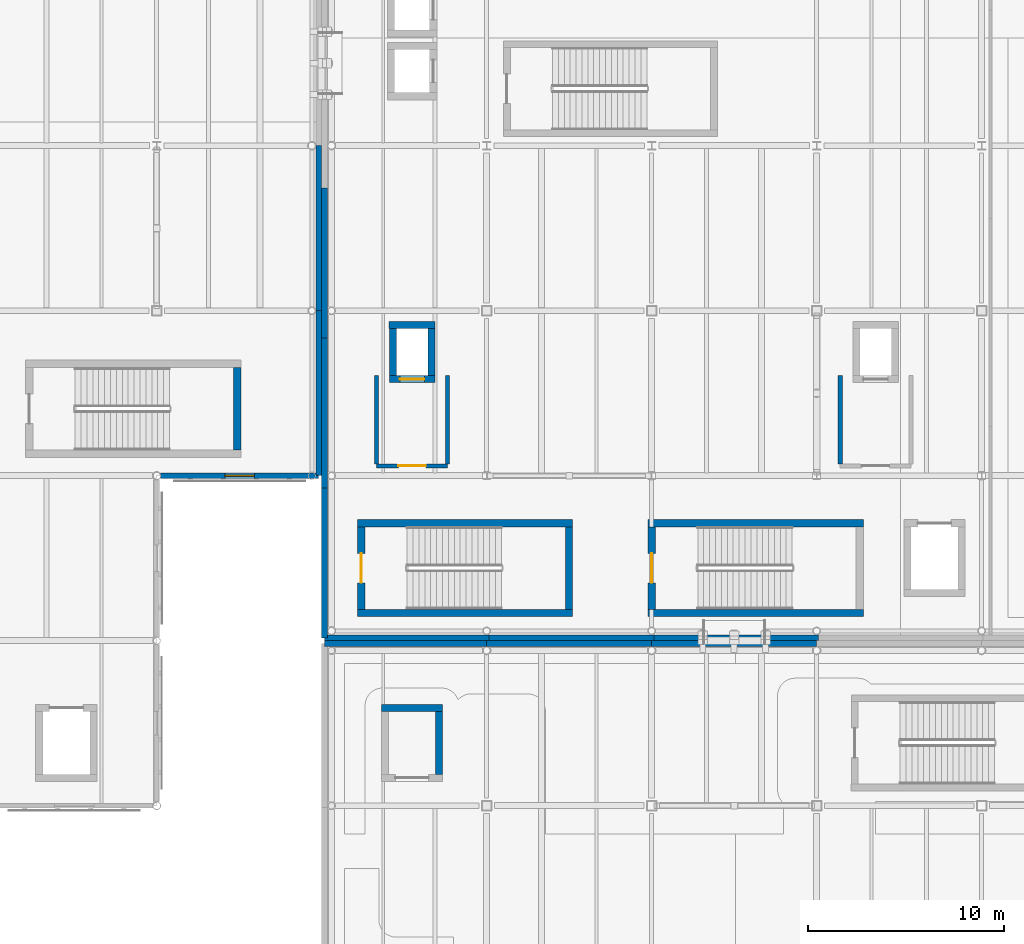
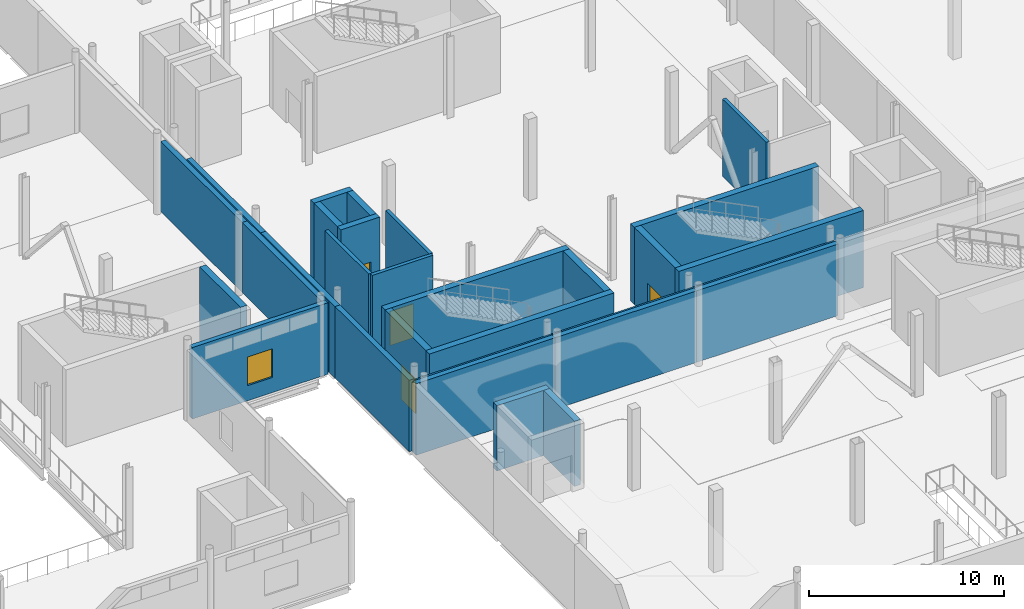
# One storey, part 69 of 104: 30 walls, 4 doors, 1 window, 5 openings.
"""IFC4 building model written with IfcOpenShell, lengths in metres."""

import ifcopenshell
import ifcopenshell.guid

model = None  # the IFC model being written
_history = None  # IfcOwnerHistory: only IFC2X3 demands one
_inside = {}  # id of a spatial element -> (the spatial element, [elements in it])
_under = {}  # id of a project, library or spatial element -> (it, [spatial elements below it])
_declared = {}  # id of a project -> (the project, [libraries it declares])
_typed = {}  # id of a type object -> (the type object, [elements of that type])
_made_of = {}  # id of a material, layer set ... -> (it, [elements and type objects made of it])


def new_model(schema):
    """Start an empty IFC model of exactly this schema.

    Asked for "IFC4X3", IfcOpenShell would pick the latest addendum, in which some entities
    have other attributes; the version numbers below select the first issue.
    IFC2X3 requires an IfcOwnerHistory on every rooted entity: one is made here for all.
    """
    global model, _history
    if schema == "IFC4X3":
        model = ifcopenshell.file(schema_version=(4, 3, 0, 0))
    else:
        model = ifcopenshell.file(schema=schema)
    _inside.clear()
    _under.clear()
    _declared.clear()
    _typed.clear()
    _made_of.clear()
    _history = None
    if model.schema == "IFC2X3":
        org = make("IfcOrganization", Name="unknown")
        user = make(
            "IfcPersonAndOrganization",
            ThePerson=make("IfcPerson", FamilyName="unknown"),
            TheOrganization=org,
        )
        app = make(
            "IfcApplication",
            ApplicationDeveloper=org,
            Version="unknown",
            ApplicationFullName="unknown",
            ApplicationIdentifier="unknown",
        )
        _history = make(
            "IfcOwnerHistory",
            OwningUser=user,
            OwningApplication=app,
            ChangeAction="ADDED",
            CreationDate=0,
        )
    return model


def make(cls, **values):
    """One entity of the class cls with the attributes given. An attribute that is None is left unset."""
    return model.create_entity(
        cls, **{name: value for name, value in values.items() if value is not None}
    )


def rooted(cls, **values):
    """An entity with a GlobalId (a new one), such as an element, a storey or a relation."""
    return make(cls, GlobalId=ifcopenshell.guid.new(), OwnerHistory=_history, **values)


def si_unit(unit_type, name, prefix=None):
    """IfcSIUnit, for example si_unit("LENGTHUNIT", "METRE", prefix="MILLI")."""
    return make("IfcSIUnit", UnitType=unit_type, Prefix=prefix, Name=name)


def assignment(units):
    """IfcUnitAssignment: the units of a project."""
    return None if units is None else make("IfcUnitAssignment", Units=units)


def point(xyz):
    """IfcCartesianPoint."""
    return None if xyz is None else make("IfcCartesianPoint", Coordinates=xyz)


def direction(xyz):
    """IfcDirection."""
    return None if xyz is None else make("IfcDirection", DirectionRatios=xyz)


def frame(location, z_axis=None, x_axis=None):
    """IfcAxis2Placement3D, a coordinate frame: its origin and axes. An axis left out is left unset."""
    return make(
        "IfcAxis2Placement3D",
        Location=point(location),
        Axis=direction(z_axis),
        RefDirection=direction(x_axis),
    )


def frame_2d(location, x_axis=None):
    """IfcAxis2Placement2D, a coordinate frame in the plane: its origin and x axis."""
    return make(
        "IfcAxis2Placement2D", Location=point(location), RefDirection=direction(x_axis)
    )


def origin():
    """The frame at (0, 0, 0) with its axes left unset."""
    return frame((0.0, 0.0, 0.0))


def place(relative_to, where):
    """IfcLocalPlacement: puts the frame where relative to a parent placement (None: the world)."""
    return make(
        "IfcLocalPlacement", PlacementRelTo=relative_to, RelativePlacement=where
    )


def context(
    kind, dimensions, precision=None, world=None, true_north=None, identifier=None
):
    """IfcGeometricRepresentationContext, for example the 3D "Model" context."""
    return make(
        "IfcGeometricRepresentationContext",
        ContextIdentifier=identifier,
        ContextType=kind,
        CoordinateSpaceDimension=dimensions,
        Precision=precision,
        WorldCoordinateSystem=world,
        TrueNorth=true_north,
    )


def subcontext(parent, identifier, kind, view, scale=None):
    """IfcGeometricRepresentationSubContext, for example "Body" below "Model"."""
    return make(
        "IfcGeometricRepresentationSubContext",
        ContextIdentifier=identifier,
        ContextType=kind,
        ParentContext=parent,
        TargetScale=scale,
        TargetView=view,
    )


def project(units=None, contexts=None):
    """IfcProject with its units and contexts."""
    return rooted(
        "IfcProject",
        Name="project",
        RepresentationContexts=contexts,
        UnitsInContext=assignment(units),
    )


def spatial(cls, under=None, at=None, **own):
    """A site, building, storey or space (cls), placed at a placement, below another one or the project."""
    s = rooted(cls, ObjectPlacement=at, **own)
    if under is not None:
        _under.setdefault(under.id(), (under, []))[1].append(s)
    return s


def profile(cls, at=None, kind="AREA", **sizes):
    """A parametric profile (cls). Its sizes go by their IFC names, for example OverallWidth=200.0."""
    return make(cls, ProfileType=kind, Position=at, **sizes)


def rectangle(**sizes):
    """IfcRectangleProfileDef."""
    return profile("IfcRectangleProfileDef", **sizes)


def extrude(swept, where, along, depth):
    """IfcExtrudedAreaSolid: the profile swept, set in the frame where, extruded along a direction by depth."""
    return make(
        "IfcExtrudedAreaSolid",
        SweptArea=swept,
        Position=where,
        ExtrudedDirection=direction(along),
        Depth=depth,
    )


def shape(context_of_items, identifier, shape_type, items):
    """IfcShapeRepresentation: the items that make up one representation, for example the "Body"."""
    return make(
        "IfcShapeRepresentation",
        ContextOfItems=context_of_items,
        RepresentationIdentifier=identifier,
        RepresentationType=shape_type,
        Items=items,
    )


def material(Name=None, Category=None):
    """IfcMaterial."""
    return make("IfcMaterial", Name=Name, Category=Category)


def layer(
    of_material, thickness, ventilated=None, Name=None, Category=None, Priority=None
):
    """IfcMaterialLayer: one layer of a wall or slab, of a material (None: an air gap)."""
    return make(
        "IfcMaterialLayer",
        Material=of_material,
        LayerThickness=thickness,
        IsVentilated=ventilated,
        Name=Name,
        Category=Category,
        Priority=Priority,
    )


def layer_set(layers, Name=None):
    """IfcMaterialLayerSet."""
    return make("IfcMaterialLayerSet", MaterialLayers=layers, LayerSetName=Name)


def made_of(thing, what):
    """Note that an element or type object is made of a material, layer set ...; save() writes the relation."""
    if what is not None:
        _made_of.setdefault(what.id(), (what, []))[1].append(thing)
    return thing


def type_object(cls, material=None, **own):
    """A type object (cls), such as IfcWallType, which elements share."""
    return made_of(rooted(cls, **own), material)


def element(
    cls,
    number,
    at=None,
    inside=None,
    cuts=None,
    type_object=None,
    material=None,
    context=None,
    identifier="Body",
    shape_type=None,
    held_by="IfcProductDefinitionShape",
    body=None,
    shapes=None,
    **own,
):
    """One element of the class cls, such as IfcWall. Its Tag is "e" and its number.

    at: its placement. inside: the storey or other place that contains it. cuts: it is an
    opening in that element (IfcRelVoidsElement). A single representation is given by context,
    identifier, shape_type and body (its items); several are given by shapes. held_by: the class
    of the entity that holds the representations. save() writes the other relations.
    """
    e = rooted(cls, Tag="e%d" % number, ObjectPlacement=at, **own)
    if body is not None:
        shapes = [shape(context, identifier, shape_type, body)]
    if shapes is not None:
        e.Representation = make(held_by, Representations=shapes)
    if inside is not None:
        _inside.setdefault(inside.id(), (inside, []))[1].append(e)
    if cuts is not None:
        rooted(
            "IfcRelVoidsElement", RelatingBuildingElement=cuts, RelatedOpeningElement=e
        )
    if type_object is not None:
        _typed.setdefault(type_object.id(), (type_object, []))[1].append(e)
    return made_of(e, material)


def fill(opening, filler):
    """IfcRelFillsElement: the door or window that sits in an opening."""
    return rooted(
        "IfcRelFillsElement",
        RelatingOpeningElement=opening,
        RelatedBuildingElement=filler,
    )


def aggregate(whole, parts):
    """IfcRelAggregates: a whole, such as a stair, and the parts it consists of."""
    return rooted("IfcRelAggregates", RelatingObject=whole, RelatedObjects=parts)


def save(model, path):
    """Write the relations noted so far, then the file.

    IfcRelAggregates (storeys below a building ...), IfcRelContainedInSpatialStructure (elements
    in a storey), IfcRelDefinesByType, IfcRelAssociatesMaterial and IfcRelDeclares: one each for
    every whole, place, type object, material and project.
    """
    for whole, parts in _under.values():
        aggregate(whole, parts)
    for where, things in _inside.values():
        rooted(
            "IfcRelContainedInSpatialStructure",
            RelatedElements=things,
            RelatingStructure=where,
        )
    for kind, things in _typed.values():
        rooted("IfcRelDefinesByType", RelatedObjects=things, RelatingType=kind)
    for what, things in _made_of.values():
        rooted("IfcRelAssociatesMaterial", RelatedObjects=things, RelatingMaterial=what)
    for by, libraries in _declared.values():
        rooted("IfcRelDeclares", RelatingContext=by, RelatedDefinitions=libraries)
    model.write(path)


model = new_model("IFC4")

# Units and contexts
model_context = context("Model", 3, precision=1e-05, world=origin(), true_north=direction((0.0, 1.0)))
body_context = subcontext(model_context, "Body", "Model", "MODEL_VIEW")
ifc_project = project(units=[si_unit("LENGTHUNIT", "METRE"), si_unit("AREAUNIT", "SQUARE_METRE"), si_unit("VOLUMEUNIT", "CUBIC_METRE"), si_unit("PLANEANGLEUNIT", "RADIAN"), si_unit("MASSUNIT", "GRAM", prefix="KILO"), si_unit("THERMODYNAMICTEMPERATUREUNIT", "KELVIN")], contexts=[model_context])

# Site, building, storey
site_placement = place(None, origin())
site = spatial("IfcSite", under=ifc_project, at=site_placement, CompositionType="ELEMENT")
building_placement = place(site_placement, origin())
building = spatial("IfcBuilding", under=site, at=building_placement, Name="Lustrewick Department Store", CompositionType="ELEMENT")
storey_placement = place(building_placement, frame((0.0, 0.0, 11.39990234375)))
storey = spatial("IfcBuildingStorey", under=building, at=storey_placement, Name="L03", CompositionType="ELEMENT", Elevation=11.39990234375)

# Wall, opening, window
ifc_material_1 = material(Name="Precast concrete C40", Category="concrete")
ifc_layer_1 = layer(ifc_material_1, 0.280029296875, Name="Precast concrete C40")
ifc_layer_set_1 = layer_set([ifc_layer_1], Name="Precast concrete C40")
wall_type_1 = type_object("IfcWallType", Name="EW03", PredefinedType="STANDARD", material=ifc_layer_set_1)
wall_1_placement = place(storey_placement, frame((100.998046875, 58.800048828125, 0.0), z_axis=(0.0, 0.0, 1.0), x_axis=(1.0, 0.0, 0.0)))
wall_1 = element("IfcWall", 1, at=wall_1_placement, inside=storey, type_object=wall_type_1, Name="L03 V2 Exterior Wall EW03", PredefinedType="STANDARD", context=body_context, shape_type="SweptSolid", body=[
    extrude(rectangle(XDim=8.052001953125, YDim=0.280029296875, at=frame_2d((4.02587890625, 0.0))), origin(), (0.0, 0.0, 1.0), 4.487060546875),
])
opening_1_placement = place(wall_1_placement, frame((3.27587890625, 0.0, 0.949951171875)))
opening_1 = element("IfcOpeningElement", 2, at=opening_1_placement, cuts=wall_1, Name="Opening WN03", PredefinedType="OPENING", context=body_context, shape_type="SweptSolid", body=[
    extrude(rectangle(XDim=1.5, YDim=1.800048828125, at=frame_2d((0.75, 0.89990234375))), frame((0.0, 0.14990234375, 0.0), z_axis=(0.0, -1.0, 0.0), x_axis=(1.0, 0.0, 0.0)), (0.0, 0.0, 1.0), 0.300048828125),
])
ifc_material_2 = material(Name="Thermally broken Low-E triple-glazed window", Category="glass")
window_type = type_object("IfcWindowType", Name="WN03", PartitioningType="DOUBLE_PANEL_VERTICAL", PredefinedType="WINDOW", material=ifc_material_2)
window_placement = place(opening_1_placement, origin())
window = element("IfcWindow", 3, at=window_placement, inside=storey, type_object=window_type, Name="L03 Art Nouveau Window WN03", OverallHeight=1.800048828125, OverallWidth=1.5, PartitioningType="SINGLE_PANEL", PredefinedType="WINDOW", context=body_context, shape_type="SweptSolid", body=[
    extrude(rectangle(XDim=1.5, YDim=1.800048828125, at=frame_2d((0.75, 0.89990234375))), frame((0.0, 0.030029296875, 0.0), z_axis=(0.0, -1.0, 0.0), x_axis=(1.0, 0.0, 0.0)), (0.0, 0.0, 1.0), 0.06005859375),
])
fill(opening_1, window)

# Walls
ifc_layer_2 = layer(ifc_material_1, 0.300048828125, Name="Precast concrete C40")
ifc_layer_set_2 = layer_set([ifc_layer_2], Name="Precast concrete C40")
wall_type_2 = type_object("IfcWallType", Name="EW04", PredefinedType="STANDARD", material=ifc_layer_set_2)
wall_2_placement = place(storey_placement, frame((109.050048828125, 58.800048828125, 0.0), z_axis=(0.0, 0.0, 1.0), x_axis=(0.0, 1.0, 0.0)))
element("IfcWall", 4, at=wall_2_placement, inside=storey, type_object=wall_type_2, Name="L03 V2 Exterior Wall EW04", PredefinedType="STANDARD", context=body_context, shape_type="SweptSolid", body=[
    extrude(rectangle(XDim=8.39990234375, YDim=0.300048828125, at=frame_2d((4.199951171875, 0.0))), origin(), (0.0, 0.0, 1.0), 4.397216796875),
])
wall_3_placement = place(storey_placement, frame((109.050048828125, 67.199951171875, 0.0), z_axis=(0.0, 0.0, 1.0), x_axis=(0.0, 1.0, 0.0)))
element("IfcWall", 5, at=wall_3_placement, inside=storey, type_object=wall_type_2, Name="L03 V2 Exterior Wall EW04", PredefinedType="STANDARD", context=body_context, shape_type="SweptSolid", body=[
    extrude(rectangle(XDim=8.400146484375, YDim=0.300048828125, at=frame_2d((4.2001953125, 0.0))), origin(), (0.0, 0.0, 1.0), 4.397216796875),
])
for number, where, z_axis, x_axis, name in (
    (6, (134.39990234375, 50.25, 0.0), (0.0, 0.0, 1.0), (-1.0, 0.0, 0.0), "L03 V3 Exterior Wall EW04"),
    (7, (126.0, 50.25, 0.0), (0.0, 0.0, 1.0), (-1.0, 0.0, 0.0), "L03 V3 Exterior Wall EW04"),
):
    element("IfcWall", number, at=place(storey_placement, frame(where, z_axis=z_axis, x_axis=x_axis)), inside=storey, type_object=wall_type_2, Name=name, PredefinedType="STANDARD", context=body_context, shape_type="SweptSolid", body=[
        extrude(rectangle(XDim=8.39990234375, YDim=0.300048828125, at=frame_2d((4.199951171875, 0.0))), origin(), (0.0, 0.0, 1.0), 4.487060546875),
    ])
wall_4_placement = place(storey_placement, frame((117.60009765625, 50.25, 0.0), z_axis=(0.0, 0.0, 1.0), x_axis=(-1.0, 0.0, 0.0)))
element("IfcWall", 8, at=wall_4_placement, inside=storey, type_object=wall_type_2, Name="L03 V3 Exterior Wall EW04", PredefinedType="STANDARD", context=body_context, shape_type="SweptSolid", body=[
    extrude(rectangle(XDim=8.25, YDim=0.300048828125, at=frame_2d((4.125, 0.0))), origin(), (0.0, 0.0, 1.0), 4.487060546875),
])
wall_5_placement = place(storey_placement, frame((109.35009765625, 50.550048828125, 0.0), z_axis=(0.0, 0.0, 1.0), x_axis=(1.0, 0.0, 0.0)))
element("IfcWall", 9, at=wall_5_placement, inside=storey, type_object=wall_type_2, Name="L03 V4 Exterior Wall EW04", PredefinedType="STANDARD", context=body_context, shape_type="SweptSolid", body=[
    extrude(rectangle(XDim=8.37841796875, YDim=0.300048828125, at=frame_2d((4.189208984375, 0.0))), origin(), (0.0, 0.0, 1.0), 4.3310546875),
])
wall_6_placement = place(storey_placement, frame((117.728515625, 50.550048828125, 0.0), z_axis=(0.0, 0.0, 1.0), x_axis=(1.0, 0.0, 0.0)))
element("IfcWall", 10, at=wall_6_placement, inside=storey, type_object=wall_type_2, Name="L03 V4 Exterior Wall EW04", PredefinedType="STANDARD", context=body_context, shape_type="SweptSolid", body=[
    extrude(rectangle(XDim=8.378662109375, YDim=0.300048828125, at=frame_2d((4.189453125, 0.0))), origin(), (0.0, 0.0, 1.0), 4.3310546875),
])
wall_7_placement = place(storey_placement, frame((126.107177734375, 50.550048828125, 0.0), z_axis=(0.0, 0.0, 1.0), x_axis=(1.0, 0.0, 0.0)))
element("IfcWall", 11, at=wall_7_placement, inside=storey, type_object=wall_type_2, Name="L03 V4 Exterior Wall EW04", PredefinedType="STANDARD", context=body_context, shape_type="SweptSolid", body=[
    extrude(rectangle(XDim=8.37841796875, YDim=0.300048828125, at=frame_2d((4.189208984375, 0.0))), origin(), (0.0, 0.0, 1.0), 4.3310546875),
])
wall_8_placement = place(storey_placement, frame((109.35009765625, 73.443603515625, 0.0), z_axis=(0.0, 0.0, 1.0), x_axis=(0.0, -1.0, 0.0)))
element("IfcWall", 12, at=wall_8_placement, inside=storey, type_object=wall_type_2, Name="L03 V4 Exterior Wall EW04", PredefinedType="STANDARD", context=body_context, shape_type="SweptSolid", body=[
    extrude(rectangle(XDim=7.631103515625, YDim=0.300048828125, at=frame_2d((3.8154296875, 0.0))), origin(), (0.0, 0.0, 1.0), 4.487060546875),
])
wall_9_placement = place(storey_placement, frame((109.35009765625, 65.8125, 0.0), z_axis=(0.0, 0.0, 1.0), x_axis=(0.0, -1.0, 0.0)))
element("IfcWall", 13, at=wall_9_placement, inside=storey, type_object=wall_type_2, Name="L03 V4 Exterior Wall EW04", PredefinedType="STANDARD", context=body_context, shape_type="SweptSolid", body=[
    extrude(rectangle(XDim=7.63134765625, YDim=0.300048828125, at=frame_2d((3.815673828125, 0.0))), origin(), (0.0, 0.0, 1.0), 4.487060546875),
])
wall_10_placement = place(storey_placement, frame((109.35009765625, 58.18115234375, 0.0), z_axis=(0.0, 0.0, 1.0), x_axis=(0.0, -1.0, 0.0)))
element("IfcWall", 14, at=wall_10_placement, inside=storey, type_object=wall_type_2, Name="L03 V4 Exterior Wall EW04", PredefinedType="STANDARD", context=body_context, shape_type="SweptSolid", body=[
    extrude(rectangle(XDim=7.631103515625, YDim=0.300048828125, at=frame_2d((3.8154296875, 0.0))), origin(), (0.0, 0.0, 1.0), 4.487060546875),
])
ifc_material_3 = material(Name="Autoclaved aerated concrete blockwork and fire board", Category="masonry")
ifc_layer_3 = layer(ifc_material_3, 0.205078125, Name="Autoclaved aerated concrete blockwork and fire board")
ifc_layer_set_3 = layer_set([ifc_layer_3], Name="Autoclaved aerated concrete blockwork and fire board")
wall_type_3 = type_object("IfcWallType", Name="PW02", PredefinedType="PARTITIONING", material=ifc_layer_set_3)
wall_11_placement = place(storey_placement, frame((135.60009765625, 63.89990234375, 0.0), z_axis=(0.0, 0.0, 1.0), x_axis=(0.0, -1.0, 0.0)))
element("IfcWall", 15, at=wall_11_placement, inside=storey, type_object=wall_type_3, Name="L03 Firefighting Lift Lobby FFL-03 PW02", PredefinedType="PARTITIONING", context=body_context, shape_type="SweptSolid", body=[
    extrude(rectangle(XDim=4.50244140625, YDim=0.205078125, at=frame_2d((2.251220703125, 0.0))), origin(), (0.0, 0.0, 1.0), 4.84521484375),
])

# Wall, opening, door
wall_12_placement = place(storey_placement, frame((112.0, 59.300048828125, 0.0), z_axis=(0.0, 0.0, 1.0), x_axis=(1.0, 0.0, 0.0)))
wall_12 = element("IfcWall", 16, at=wall_12_placement, inside=storey, type_object=wall_type_3, Name="L03 Firefighting Lift Lobby FFL-04 PW02", PredefinedType="PARTITIONING", context=body_context, shape_type="SweptSolid", body=[
    extrude(rectangle(XDim=3.60009765625, YDim=0.205078125, at=frame_2d((1.800048828125, 0.0))), origin(), (0.0, 0.0, 1.0), 4.84521484375),
])
opening_2_placement = place(wall_12_placement, frame((1.10009765625, 0.0, 0.0)))
opening_2 = element("IfcOpeningElement", 17, at=opening_2_placement, cuts=wall_12, Name="Opening D-L03-055", PredefinedType="OPENING", context=body_context, shape_type="SweptSolid", body=[
    extrude(rectangle(XDim=1.39990234375, YDim=2.14990234375, at=frame_2d((0.699951171875, 1.074951171875))), frame((0.0, 0.112548828125, 0.0), z_axis=(0.0, -1.0, 0.0), x_axis=(1.0, 0.0, 0.0)), (0.0, 0.0, 1.0), 0.22509765625),
])
ifc_material_4 = material(Name="Steel fire door Class B EI 60", Category="steel")
door_type_1 = type_object("IfcDoorType", Name="DT-08", OperationType="NOTDEFINED", PredefinedType="DOOR", material=ifc_material_4)
door_1_placement = place(opening_2_placement, origin())
door_1 = element("IfcDoor", 18, at=door_1_placement, inside=storey, type_object=door_type_1, Name="L03 Firefighting Lift Lobby FFL-04 Door D-L03-055", OperationType="SINGLE_SWING_LEFT", OverallHeight=2.14990234375, OverallWidth=1.39990234375, PredefinedType="DOOR", context=body_context, shape_type="SweptSolid", body=[
    extrude(rectangle(XDim=1.39990234375, YDim=2.14990234375, at=frame_2d((0.699951171875, 1.074951171875))), frame((0.0, 0.02490234375, 0.0), z_axis=(0.0, -1.0, 0.0), x_axis=(1.0, 0.0, 0.0)), (0.0, 0.0, 1.0), 0.050048828125),
])
fill(opening_2, door_1)

# Walls
for number, where, z_axis, x_axis, name in (
    (19, (115.60009765625, 59.3974609375, 0.0), (0.0, 0.0, 1.0), (0.0, 1.0, 0.0), "L03 Firefighting Lift Lobby FFL-04 PW02"),
    (20, (112.0, 63.89990234375, 0.0), (0.0, 0.0, 1.0), (0.0, -1.0, 0.0), "L03 Firefighting Lift Lobby FFL-04 PW02"),
):
    element("IfcWall", number, at=place(storey_placement, frame(where, z_axis=z_axis, x_axis=x_axis)), inside=storey, type_object=wall_type_3, Name=name, PredefinedType="PARTITIONING", context=body_context, shape_type="SweptSolid", body=[
        extrude(rectangle(XDim=4.50244140625, YDim=0.205078125, at=frame_2d((2.251220703125, 0.0))), origin(), (0.0, 0.0, 1.0), 4.84521484375),
    ])
ifc_material_5 = material(Name="Concrete C40", Category="concrete")
ifc_layer_4 = layer(ifc_material_5, 0.3798828125, Name="Concrete C40")
ifc_layer_set_4 = layer_set([ifc_layer_4], Name="Concrete C40")
wall_type_4 = type_object("IfcWallType", Name="SW03", PredefinedType="SHEAR", material=ifc_layer_set_4)
wall_13_placement = place(storey_placement, frame((104.889892578125, 60.10009765625, 0.0), z_axis=(0.0, 0.0, 1.0), x_axis=(0.0, 1.0, 0.0)))
element("IfcWall", 21, at=wall_13_placement, inside=storey, type_object=wall_type_4, Name="L03 Stair Core ST05 Shear Wall E", PredefinedType="SHEAR", context=body_context, shape_type="SweptSolid", body=[
    extrude(rectangle(XDim=4.199951171875, YDim=0.3798828125, at=frame_2d((2.10009765625, 0.0))), origin(), (0.0, 0.0, 1.0), 4.84521484375),
])
wall_14_placement = place(storey_placement, frame((111.02001953125, 51.81005859375, 0.0), z_axis=(0.0, 0.0, 1.0), x_axis=(1.0, 0.0, 0.0)))
element("IfcWall", 22, at=wall_14_placement, inside=storey, type_object=wall_type_4, Name="L03 Stair Core ST09 Shear Wall S", PredefinedType="SHEAR", context=body_context, shape_type="SweptSolid", body=[
    extrude(rectangle(XDim=10.9599609375, YDim=0.3798828125, at=frame_2d((5.47998046875, 0.0))), origin(), (0.0, 0.0, 1.0), 4.84521484375),
])
wall_15_placement = place(storey_placement, frame((121.7900390625, 52.0, 0.0), z_axis=(0.0, 0.0, 1.0), x_axis=(0.0, 1.0, 0.0)))
element("IfcWall", 23, at=wall_15_placement, inside=storey, type_object=wall_type_4, Name="L03 Stair Core ST09 Shear Wall E", PredefinedType="SHEAR", context=body_context, shape_type="SweptSolid", body=[
    extrude(rectangle(XDim=4.199951171875, YDim=0.3798828125, at=frame_2d((2.10009765625, 0.0))), origin(), (0.0, 0.0, 1.0), 4.84521484375),
])
wall_16_placement = place(storey_placement, frame((121.97998046875, 56.389892578125, 0.0), z_axis=(0.0, 0.0, 1.0), x_axis=(-1.0, 0.0, 0.0)))
element("IfcWall", 24, at=wall_16_placement, inside=storey, type_object=wall_type_4, Name="L03 Stair Core ST09 Shear Wall N", PredefinedType="SHEAR", context=body_context, shape_type="SweptSolid", body=[
    extrude(rectangle(XDim=10.9599609375, YDim=0.3798828125, at=frame_2d((5.47998046875, 0.0))), origin(), (0.0, 0.0, 1.0), 4.84521484375),
])

# Wall, opening, door
wall_17_placement = place(storey_placement, frame((111.2099609375, 56.199951171875, 0.0), z_axis=(0.0, 0.0, 1.0), x_axis=(0.0, -1.0, 0.0)))
wall_17 = element("IfcWall", 25, at=wall_17_placement, inside=storey, type_object=wall_type_4, Name="L03 Stair Core ST09 Shear Wall W", PredefinedType="SHEAR", context=body_context, shape_type="SweptSolid", body=[
    extrude(rectangle(XDim=4.199951171875, YDim=0.3798828125, at=frame_2d((2.10009765625, 0.0))), origin(), (0.0, 0.0, 1.0), 4.84521484375),
])
opening_3_placement = place(wall_17_placement, frame((1.35009765625, 0.0, 0.0)))
opening_3 = element("IfcOpeningElement", 26, at=opening_3_placement, cuts=wall_17, Name="Opening D-L03-009", PredefinedType="OPENING", context=body_context, shape_type="SweptSolid", body=[
    extrude(rectangle(XDim=1.5, YDim=2.14990234375, at=frame_2d((0.75, 1.074951171875))), frame((0.0, 0.199951171875, 0.0), z_axis=(0.0, -1.0, 0.0), x_axis=(1.0, 0.0, 0.0)), (0.0, 0.0, 1.0), 0.39990234375),
])
door_type_2 = type_object("IfcDoorType", Name="DT-07", OperationType="NOTDEFINED", PredefinedType="DOOR", material=ifc_material_4)
door_2_placement = place(opening_3_placement, origin())
door_2 = element("IfcDoor", 27, at=door_2_placement, inside=storey, type_object=door_type_2, Name="L03 Smoke-Proof Stair ST09 Fire Door", OperationType="SINGLE_SWING_LEFT", OverallHeight=2.14990234375, OverallWidth=1.5, PredefinedType="DOOR", context=body_context, shape_type="SweptSolid", body=[
    extrude(rectangle(XDim=1.5, YDim=2.14990234375, at=frame_2d((0.75, 1.074951171875))), frame((0.0, 0.02490234375, 0.0), z_axis=(0.0, -1.0, 0.0), x_axis=(1.0, 0.0, 0.0)), (0.0, 0.0, 1.0), 0.050048828125),
])
fill(opening_3, door_2)

# Walls
for number, where, z_axis, x_axis, name in (
    (28, (125.820068359375, 51.81005859375, 0.0), (0.0, 0.0, 1.0), (1.0, 0.0, 0.0), "L03 Stair Core ST11 Shear Wall S"),
    (29, (136.780029296875, 56.389892578125, 0.0), (0.0, 0.0, 1.0), (-1.0, 0.0, 0.0), "L03 Stair Core ST11 Shear Wall N"),
):
    element("IfcWall", number, at=place(storey_placement, frame(where, z_axis=z_axis, x_axis=x_axis)), inside=storey, type_object=wall_type_4, Name=name, PredefinedType="SHEAR", context=body_context, shape_type="SweptSolid", body=[
        extrude(rectangle(XDim=10.9599609375, YDim=0.3798828125, at=frame_2d((5.47998046875, 0.0))), origin(), (0.0, 0.0, 1.0), 4.84521484375),
    ])

# Wall, opening, door
wall_18_placement = place(storey_placement, frame((126.010009765625, 56.199951171875, 0.0), z_axis=(0.0, 0.0, 1.0), x_axis=(0.0, -1.0, 0.0)))
wall_18 = element("IfcWall", 30, at=wall_18_placement, inside=storey, type_object=wall_type_4, Name="L03 Stair Core ST11 Shear Wall W", PredefinedType="SHEAR", context=body_context, shape_type="SweptSolid", body=[
    extrude(rectangle(XDim=4.199951171875, YDim=0.3798828125, at=frame_2d((2.10009765625, 0.0))), origin(), (0.0, 0.0, 1.0), 4.84521484375),
])
opening_4_placement = place(wall_18_placement, frame((1.35009765625, 0.0, 0.0)))
opening_4 = element("IfcOpeningElement", 31, at=opening_4_placement, cuts=wall_18, Name="Opening D-L03-011", PredefinedType="OPENING", context=body_context, shape_type="SweptSolid", body=[
    extrude(rectangle(XDim=1.5, YDim=2.14990234375, at=frame_2d((0.75, 1.074951171875))), frame((0.0, 0.199951171875, 0.0), z_axis=(0.0, -1.0, 0.0), x_axis=(1.0, 0.0, 0.0)), (0.0, 0.0, 1.0), 0.39990234375),
])
door_3_placement = place(opening_4_placement, origin())
door_3 = element("IfcDoor", 32, at=door_3_placement, inside=storey, type_object=door_type_2, Name="L03 Smoke-Proof Stair ST11 Fire Door", OperationType="SINGLE_SWING_LEFT", OverallHeight=2.14990234375, OverallWidth=1.5, PredefinedType="DOOR", context=body_context, shape_type="SweptSolid", body=[
    extrude(rectangle(XDim=1.5, YDim=2.14990234375, at=frame_2d((0.75, 1.074951171875))), frame((0.0, 0.02490234375, 0.0), z_axis=(0.0, -1.0, 0.0), x_axis=(1.0, 0.0, 0.0)), (0.0, 0.0, 1.0), 0.050048828125),
])
fill(opening_4, door_3)

ifc_layer_5 = layer(ifc_material_5, 0.360107421875, Name="Concrete C40")
ifc_layer_set_5 = layer_set([ifc_layer_5], Name="Concrete C40")
wall_type_5 = type_object("IfcWallType", Name="SW04", PredefinedType="SHEAR", material=ifc_layer_set_5)
wall_19_placement = place(storey_placement, frame((112.639892578125, 63.719970703125, 0.0), z_axis=(0.0, 0.0, 1.0), x_axis=(1.0, 0.0, 0.0)))
wall_19 = element("IfcWall", 33, at=wall_19_placement, inside=storey, type_object=wall_type_5, Name="L03 Lift FFL-04 Shaft Wall -Y", PredefinedType="SHEAR", context=body_context, shape_type="SweptSolid", body=[
    extrude(rectangle(XDim=2.320068359375, YDim=0.360107421875, at=frame_2d((1.16015625, 0.0))), origin(), (0.0, 0.0, 1.0), 4.84521484375),
])
opening_5_placement = place(wall_19_placement, frame((0.534912109375, 0.0, 0.0)))
opening_5 = element("IfcOpeningElement", 34, at=opening_5_placement, cuts=wall_19, Name="Opening LD-L03-04", PredefinedType="OPENING", context=body_context, shape_type="SweptSolid", body=[
    extrude(rectangle(XDim=1.25, YDim=2.199951171875, at=frame_2d((0.625, 1.10009765625))), frame((0.0, 0.18994140625, 0.0), z_axis=(0.0, -1.0, 0.0), x_axis=(1.0, 0.0, 0.0)), (0.0, 0.0, 1.0), 0.380126953125),
])
ifc_material_6 = material(Name="Stainless steel firefighting lift landing door EI 90", Category="steel")
door_type_3 = type_object("IfcDoorType", Name="DT-15", OperationType="NOTDEFINED", PredefinedType="DOOR", material=ifc_material_6)
door_4_placement = place(opening_5_placement, frame((1.25, 0.0, 0.0), z_axis=(0.0, 0.0, 1.0), x_axis=(-1.0, 0.0, 0.0)))
door_4 = element("IfcDoor", 35, at=door_4_placement, inside=storey, type_object=door_type_3, Name="L03 Lift FFL-04 Sliding Landing Door LD-L03-04", OperationType="DOUBLE_DOOR_SLIDING", OverallHeight=2.199951171875, OverallWidth=1.25, PredefinedType="DOOR", context=body_context, shape_type="SweptSolid", body=[
    extrude(rectangle(XDim=1.25, YDim=2.199951171875, at=frame_2d((0.625, 1.10009765625))), frame((0.0, 0.02490234375, 0.0), z_axis=(0.0, -1.0, 0.0), x_axis=(1.0, 0.0, 0.0)), (0.0, 0.0, 1.0), 0.050048828125),
])
fill(opening_5, door_4)

# Walls
wall_20_placement = place(storey_placement, frame((114.780029296875, 63.89990234375, 0.0), z_axis=(0.0, 0.0, 1.0), x_axis=(0.0, 1.0, 0.0)))
element("IfcWall", 36, at=wall_20_placement, inside=storey, type_object=wall_type_5, Name="L03 Lift FFL-04 Shaft Wall +X", PredefinedType="SHEAR", context=body_context, shape_type="SweptSolid", body=[
    extrude(rectangle(XDim=2.400146484375, YDim=0.360107421875, at=frame_2d((1.2001953125, 0.0))), origin(), (0.0, 0.0, 1.0), 4.84521484375),
])
wall_21_placement = place(storey_placement, frame((114.9599609375, 66.47998046875, 0.0), z_axis=(0.0, 0.0, 1.0), x_axis=(-1.0, 0.0, 0.0)))
element("IfcWall", 37, at=wall_21_placement, inside=storey, type_object=wall_type_5, Name="L03 Lift FFL-04 Shaft Wall +Y", PredefinedType="SHEAR", context=body_context, shape_type="SweptSolid", body=[
    extrude(rectangle(XDim=2.320068359375, YDim=0.360107421875, at=frame_2d((1.16015625, 0.0))), origin(), (0.0, 0.0, 1.0), 4.84521484375),
])
wall_22_placement = place(storey_placement, frame((112.820068359375, 66.300048828125, 0.0), z_axis=(0.0, 0.0, 1.0), x_axis=(0.0, -1.0, 0.0)))
element("IfcWall", 38, at=wall_22_placement, inside=storey, type_object=wall_type_5, Name="L03 Lift FFL-04 Shaft Wall -X", PredefinedType="SHEAR", context=body_context, shape_type="SweptSolid", body=[
    extrude(rectangle(XDim=2.400146484375, YDim=0.360107421875, at=frame_2d((1.2001953125, 0.0))), origin(), (0.0, 0.0, 1.0), 4.84521484375),
])
wall_23_placement = place(storey_placement, frame((115.179931640625, 43.60009765625, 0.0), z_axis=(0.0, 0.0, 1.0), x_axis=(0.0, 1.0, 0.0)))
element("IfcWall", 39, at=wall_23_placement, inside=storey, type_object=wall_type_5, Name="L03 Lift GL-03 Shaft Wall +X", PredefinedType="SHEAR", context=body_context, shape_type="SweptSolid", body=[
    extrude(rectangle(XDim=3.199951171875, YDim=0.360107421875, at=frame_2d((1.60009765625, 0.0))), origin(), (0.0, 0.0, 1.0), 4.09521484375),
])
wall_24_placement = place(storey_placement, frame((115.360107421875, 46.97998046875, 0.0), z_axis=(0.0, 0.0, 1.0), x_axis=(-1.0, 0.0, 0.0)))
element("IfcWall", 40, at=wall_24_placement, inside=storey, type_object=wall_type_5, Name="L03 Lift GL-03 Shaft Wall +Y", PredefinedType="SHEAR", context=body_context, shape_type="SweptSolid", body=[
    extrude(rectangle(XDim=3.1201171875, YDim=0.360107421875, at=frame_2d((1.56005859375, 0.0))), origin(), (0.0, 0.0, 1.0), 4.09521484375),
])

save(model, "model.ifc")
